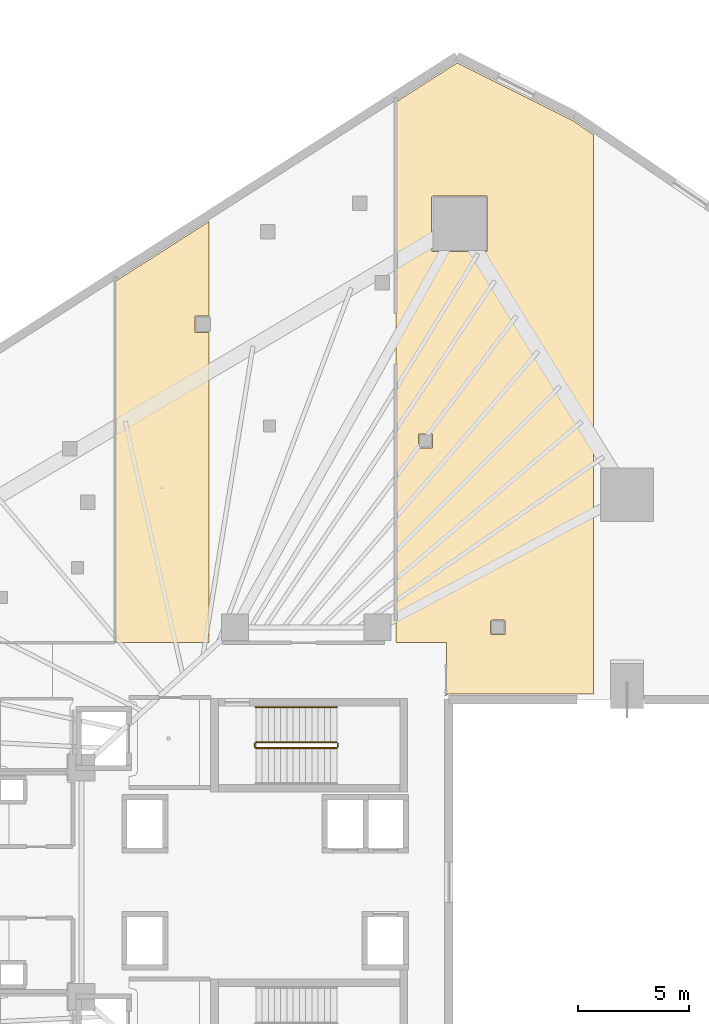
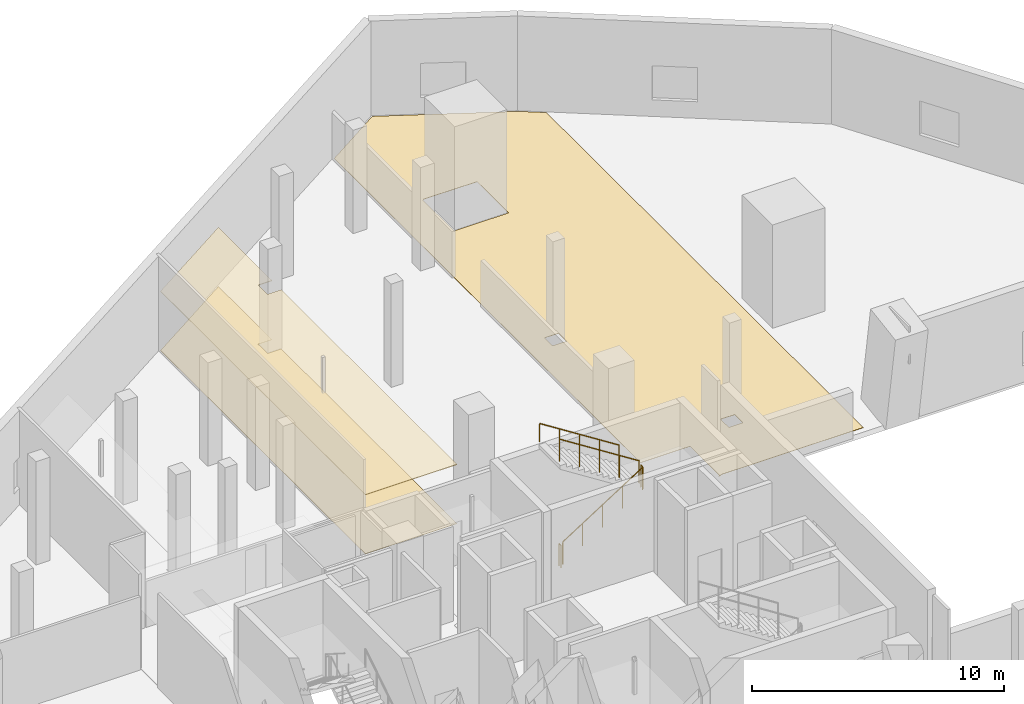
# One storey, part 42 of 43: 5 railings, 3 coverings.
"""IFC4 building model written with IfcOpenShell, lengths in metres."""

from ifc_helpers import new_model, si_unit, direction, frame, origin, origin_2d, place, context, subcontext, project, spatial, polyline, circle, outline, extrude, material, layer, layer_set, type_object, element, save


model = new_model("IFC4")

# Units and contexts
model_context = context("Model", 3, precision=1e-05, world=origin(), true_north=direction((0.0, 1.0)))
body_context = subcontext(model_context, "Body", "Model", "MODEL_VIEW")
ifc_project = project(units=[si_unit("LENGTHUNIT", "METRE"), si_unit("AREAUNIT", "SQUARE_METRE"), si_unit("VOLUMEUNIT", "CUBIC_METRE"), si_unit("PLANEANGLEUNIT", "RADIAN"), si_unit("MASSUNIT", "GRAM", prefix="KILO")], contexts=[model_context])

# Site, building, storey
site_placement = place(None, origin())
site = spatial("IfcSite", under=ifc_project, at=site_placement, CompositionType="ELEMENT")
building_placement = place(site_placement, origin())
building = spatial("IfcBuilding", under=site, at=building_placement, Name="Qorvath Tower", CompositionType="ELEMENT")
storey_placement = place(building_placement, frame((0.0, 0.0, 22.0)))
storey = spatial("IfcBuildingStorey", under=building, at=storey_placement, Name="L04", CompositionType="ELEMENT", Elevation=22.0)

# Coverings
ifc_material_1 = material(Name="Acoustic mineral fibre ceiling tile", Category="gypsum")
ifc_layer_1 = layer(ifc_material_1, 0.030029296875)
ifc_layer_set_1 = layer_set([ifc_layer_1], Name="COV-CEIL")
covering_type_1 = type_object("IfcCoveringType", Name="COV-CEIL", PredefinedType="CEILING", material=ifc_layer_set_1)
covering_1_placement = place(storey_placement, frame((0.0, 0.0, 2.85009765625)))
element("IfcCovering", 1, at=covering_1_placement, inside=storey, type_object=covering_type_1, Name="L04 Suspended Acoustic Ceiling 010", PredefinedType="CEILING", context=body_context, shape_type="SweptSolid", body=[
    extrude(outline(polyline([(-28.968505859375, 10.762939453125), (-24.776611328125, 10.762939453125), (-24.776611328125, 24.69140625), (-25.405029296875, 24.69140625), (-25.405029296875, 25.42626953125), (-24.776611328125, 25.42626953125), (-24.776611328125, 29.6708984375), (-28.968505859375, 26.991943359375), (-28.968505859375, 10.762939453125)])), origin(), (0.0, 0.0, 1.0), 0.030029296875),
])
ifc_material_2 = material(Name="Low-VOC modular carpet tile", Category="textile")
ifc_layer_2 = layer(ifc_material_2, 0.014892578125)
ifc_layer_set_2 = layer_set([ifc_layer_2], Name="COV-FLOOR-CPT")
covering_type_2 = type_object("IfcCoveringType", Name="COV-FLOOR-CPT", PredefinedType="FLOORING", material=ifc_layer_set_2)
covering_2_placement = place(storey_placement, origin())
element("IfcCovering", 2, at=covering_2_placement, inside=storey, type_object=covering_type_2, Name="L04 Floor Finish 010", PredefinedType="FLOORING", context=body_context, shape_type="SweptSolid", body=[
    extrude(outline(polyline([(-28.968505859375, 10.762939453125), (-24.776611328125, 10.762939453125), (-24.776611328125, 24.69140625), (-25.405029296875, 24.69140625), (-25.405029296875, 25.42626953125), (-24.776611328125, 25.42626953125), (-24.776611328125, 29.6708984375), (-28.968505859375, 26.991943359375), (-28.968505859375, 10.762939453125)])), origin(), (0.0, 0.0, 1.0), 0.014892578125),
])
covering_3_placement = place(storey_placement, origin())
element("IfcCovering", 3, at=covering_3_placement, inside=storey, type_object=covering_type_2, Name="L04 Floor Finish 011", PredefinedType="FLOORING", context=body_context, shape_type="SweptSolid", body=[
    extrude(outline(polyline([(-7.51220703125, 8.455078125), (-7.51220703125, 33.577880859375), (-8.46533203125, 34.224365234375), (-13.619873046875, 36.801513671875), (-16.375244140625, 35.04052734375), (-16.375244140625, 10.762939453125), (-14.1083984375, 10.761474609375), (-14.10693359375, 8.448974609375), (-14.19775390625, 8.3681640625), (-14.0, 8.455078125), (-7.51220703125, 8.455078125)]), holes=[polyline([(-12.135009765625, 11.72509765625), (-12.074951171875, 11.784912109375), (-11.482666015625, 11.767333984375), (-11.482666015625, 11.132568359375), (-12.117431640625, 11.132568359375), (-12.135009765625, 11.72509765625)]), polyline([(-14.780029296875, 30.76806640625), (-14.719970703125, 30.827880859375), (-12.277587890625, 30.810546875), (-12.277587890625, 28.32568359375), (-14.762451171875, 28.32568359375), (-14.780029296875, 30.76806640625)]), polyline([(-15.363525390625, 20.135498046875), (-14.728759765625, 20.135498046875), (-14.728759765625, 19.500732421875), (-15.363525390625, 19.500732421875), (-15.363525390625, 20.135498046875)])]), origin(), (0.0, 0.0, 1.0), 0.014892578125),
])

# Railings
ifc_material_3 = material(Name="Painted galvanised steel", Category="steel")
railing_type_1 = type_object("IfcRailingType", Name="RL-STR-GRD", PredefinedType="GUARDRAIL", material=ifc_material_3)
railing_1_placement = place(storey_placement, frame((-22.669921875, 6.030029296875, 0.178466796875)))
element("IfcRailing", 4, at=railing_1_placement, inside=storey, type_object=railing_type_1, Name="L04 TS1 stair guard 1", PredefinedType="GUARDRAIL", context=body_context, shape_type="SweptSolid", body=[
    extrude(circle(Radius=0.02392578125, at=origin_2d()), frame((0.0, 0.0, 1.076171875), z_axis=(0.843111507901, 0.0, 0.53773877045), x_axis=(0.0, 1.0, 0.0)), (0.0, 0.0, 1.0), 4.317138671875),
    extrude(circle(Radius=0.02099609375, at=origin_2d()), origin(), (0.0, 0.0, 1.0), 1.052001953125),
    extrude(circle(Radius=0.02099609375, at=origin_2d()), frame((0.909912109375, 0.0, 0.580322265625)), (0.0, 0.0, 1.0), 1.052001953125),
    extrude(circle(Radius=0.02099609375, at=origin_2d()), frame((1.81982421875, 0.0, 1.16064453125)), (0.0, 0.0, 1.0), 1.052001953125),
    extrude(circle(Radius=0.02099609375, at=origin_2d()), frame((2.72998046875, 0.0, 1.7412109375)), (0.0, 0.0, 1.0), 1.052001953125),
    extrude(circle(Radius=0.02099609375, at=origin_2d()), frame((3.639892578125, 0.0, 2.321533203125)), (0.0, 0.0, 1.0), 1.052001953125),
])
railing_2_placement = place(storey_placement, frame((-18.97998046875, 6.080078125, 2.5)))
element("IfcRailing", 5, at=railing_2_placement, inside=storey, type_object=railing_type_1, Name="L04 TS1 stair guard 2", PredefinedType="GUARDRAIL", context=body_context, shape_type="SweptSolid", body=[
    extrude(circle(Radius=0.02392578125, at=origin_2d()), frame((0.0, 0.0, 1.076171875), z_axis=(0.0, 1.0, 0.0), x_axis=(-1.0, 0.0, 0.0)), (0.0, 0.0, 1.0), 0.14990234375),
    extrude(circle(Radius=0.02099609375, at=origin_2d()), origin(), (0.0, 0.0, 1.0), 1.052001953125),
    extrude(circle(Radius=0.02099609375, at=origin_2d()), frame((0.0, 0.14990234375, 0.0)), (0.0, 0.0, 1.0), 1.052001953125),
])
railing_3_placement = place(storey_placement, frame((-19.030029296875, 6.280029296875, 2.678466796875)))
element("IfcRailing", 6, at=railing_3_placement, inside=storey, type_object=railing_type_1, Name="L04 TS1 stair guard 3", PredefinedType="GUARDRAIL", context=body_context, shape_type="SweptSolid", body=[
    extrude(circle(Radius=0.02392578125, at=origin_2d()), frame((0.0, 0.0, 1.076171875), z_axis=(-0.843111507901, 0.0, 0.53773877045), x_axis=(0.0, -1.0, 0.0)), (0.0, 0.0, 1.0), 4.317138671875),
    extrude(circle(Radius=0.02099609375, at=origin_2d()), origin(), (0.0, 0.0, 1.0), 1.052001953125),
    extrude(circle(Radius=0.02099609375, at=origin_2d()), frame((-0.909912109375, 0.0, 0.580322265625)), (0.0, 0.0, 1.0), 1.052001953125),
    extrude(circle(Radius=0.02099609375, at=origin_2d()), frame((-1.81982421875, 0.0, 1.16064453125)), (0.0, 0.0, 1.0), 1.052001953125),
    extrude(circle(Radius=0.02099609375, at=origin_2d()), frame((-2.72998046875, 0.0, 1.7412109375)), (0.0, 0.0, 1.0), 1.052001953125),
    extrude(circle(Radius=0.02099609375, at=origin_2d()), frame((-3.639892578125, 0.0, 2.321533203125)), (0.0, 0.0, 1.0), 1.052001953125),
])
railing_4_placement = place(storey_placement, frame((-22.719970703125, 6.080078125, 0.0)))
element("IfcRailing", 7, at=railing_4_placement, inside=storey, type_object=railing_type_1, Name="L04 TS1 stair guard 4", PredefinedType="GUARDRAIL", context=body_context, shape_type="SweptSolid", body=[
    extrude(circle(Radius=0.02392578125, at=origin_2d()), frame((0.0, 0.0, 1.076171875), z_axis=(0.0, 1.0, 0.0), x_axis=(-1.0, 0.0, 0.0)), (0.0, 0.0, 1.0), 0.14990234375),
    extrude(circle(Radius=0.02099609375, at=origin_2d()), origin(), (0.0, 0.0, 1.0), 1.052001953125),
    extrude(circle(Radius=0.02099609375, at=origin_2d()), frame((0.0, 0.14990234375, 0.0)), (0.0, 0.0, 1.0), 1.052001953125),
])
ifc_material_4 = material(Name="Brushed stainless steel AISI 304", Category="steel")
railing_type_2 = type_object("IfcRailingType", Name="RL-STR-HND", PredefinedType="HANDRAIL", material=ifc_material_4)
railing_5_placement = place(storey_placement, frame((-19.030029296875, 7.860107421875, 2.678466796875)))
element("IfcRailing", 8, at=railing_5_placement, inside=storey, type_object=railing_type_2, Name="L04 TS1 stair handrail 2", PredefinedType="HANDRAIL", context=body_context, shape_type="SweptSolid", body=[
    extrude(circle(Radius=0.02392578125, at=origin_2d()), frame((0.0, 0.0, 0.8759765625), z_axis=(-0.843111507901, 0.0, 0.53773877045), x_axis=(0.0, -1.0, 0.0)), (0.0, 0.0, 1.0), 4.317138671875),
    extrude(circle(Radius=0.02099609375, at=origin_2d()), origin(), (0.0, 0.0, 1.0), 0.851806640625),
    extrude(circle(Radius=0.02099609375, at=origin_2d()), frame((-0.909912109375, 0.0, 0.580322265625)), (0.0, 0.0, 1.0), 0.851806640625),
    extrude(circle(Radius=0.02099609375, at=origin_2d()), frame((-1.81982421875, 0.0, 1.16064453125)), (0.0, 0.0, 1.0), 0.851806640625),
    extrude(circle(Radius=0.02099609375, at=origin_2d()), frame((-2.72998046875, 0.0, 1.7412109375)), (0.0, 0.0, 1.0), 0.851806640625),
    extrude(circle(Radius=0.02099609375, at=origin_2d()), frame((-3.639892578125, 0.0, 2.321533203125)), (0.0, 0.0, 1.0), 0.851806640625),
])

save(model, "model.ifc")
